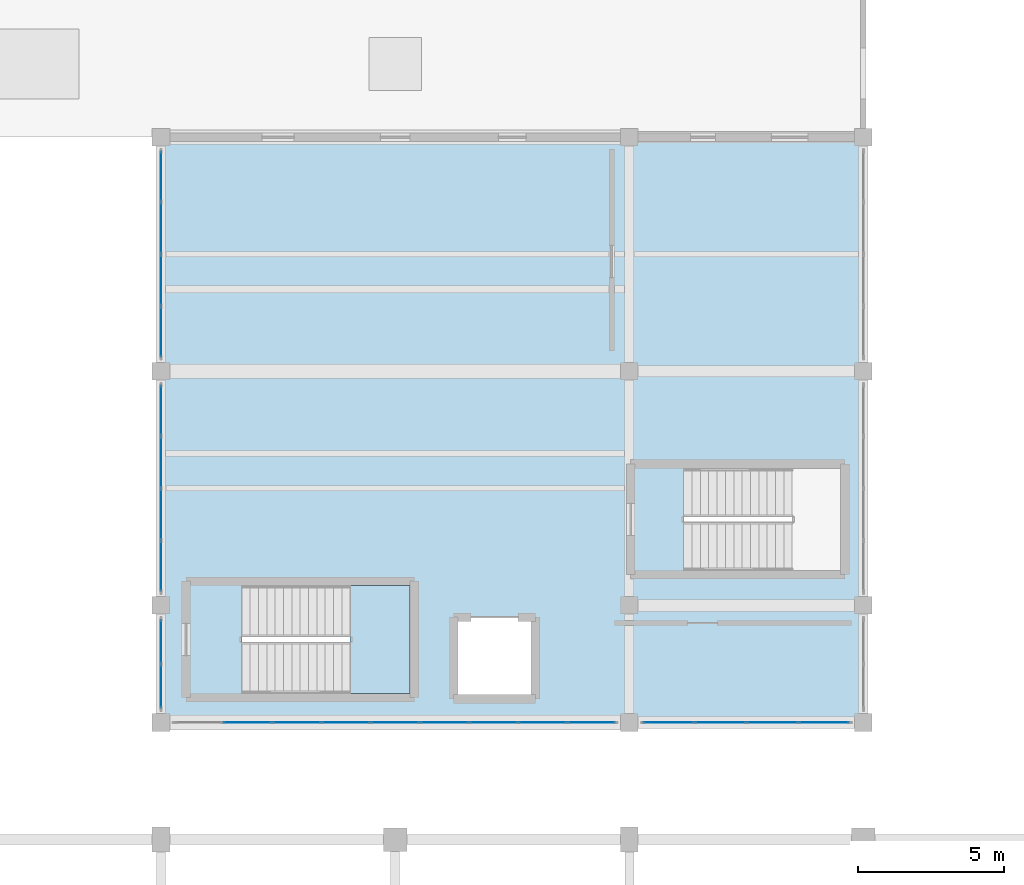
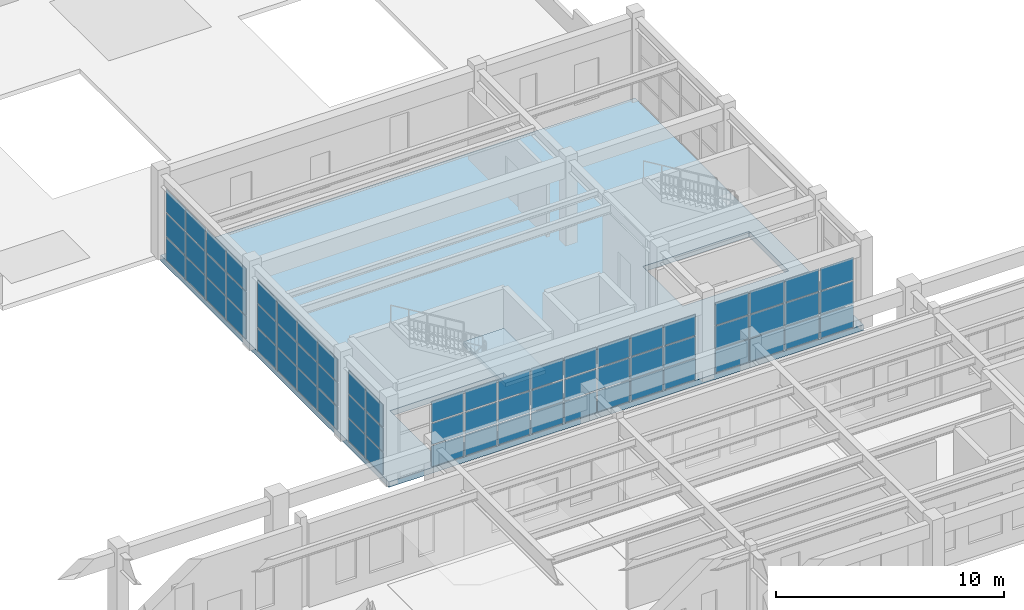
# One storey, part 34 of 59: 66 plates, 2 slabs, 6 elements without a shape of their own.
"""IFC4 building model written with IfcOpenShell, lengths in metres."""

from ifc_helpers import new_model, si_unit, direction, frame, origin, origin_2d, place, context, subcontext, project, spatial, polyline, rectangle, outline, extrude, material, layer, layer_set, type_object, element, aggregate, save


model = new_model("IFC4")

# Units and contexts
model_context = context("Model", 3, precision=1e-05, world=origin(), true_north=direction((0.0, 1.0)))
body_context = subcontext(model_context, "Body", "Model", "MODEL_VIEW")
ifc_project = project(units=[si_unit("LENGTHUNIT", "METRE"), si_unit("AREAUNIT", "SQUARE_METRE"), si_unit("VOLUMEUNIT", "CUBIC_METRE"), si_unit("PLANEANGLEUNIT", "RADIAN"), si_unit("MASSUNIT", "GRAM", prefix="KILO")], contexts=[model_context])

# Site, building, storey
site_placement = place(None, origin())
site = spatial("IfcSite", under=ifc_project, at=site_placement, CompositionType="ELEMENT")
building_placement = place(site_placement, origin())
building = spatial("IfcBuilding", under=site, at=building_placement, Name="Serraluz Foothill Cableway Terminal", CompositionType="ELEMENT")
storey_placement = place(building_placement, frame((0.0, 0.0, 4.800048828125)))
storey = spatial("IfcBuildingStorey", under=building, at=storey_placement, Name="L01", CompositionType="ELEMENT", Elevation=4.800048828125)

# Curtain wall, plates
ifc_material_1 = material(Name="Architectural bronze alloy C28000", Category="aluminium")
curtain_wall_type = type_object("IfcCurtainWallType", Name="TYP-CW-680X420", PredefinedType="NOTDEFINED", material=ifc_material_1)
curtain_wall_1_placement = place(storey_placement, origin())
curtain_wall_1 = element("IfcCurtainWall", 1, at=curtain_wall_1_placement, inside=storey, type_object=curtain_wall_type, Name="Ribbed Glazed Curtain Wall CW-V4S-L01-96", PredefinedType="NOTDEFINED")
ifc_material_2 = material(Name="Translucent ribbed laminated channel glass", Category="glass")
ifc_layer_1 = layer(ifc_material_2, 0.028076171875, Name="Translucent ribbed laminated channel glass", Category="glass")
ifc_layer_set_1 = layer_set([ifc_layer_1], Name="Translucent ribbed laminated channel glass")
plate_type = type_object("IfcPlateType", Name="TYP-CW-PNL-28", PredefinedType="CURTAIN_PANEL", material=ifc_layer_set_1)
plate_1_placement = place(storey_placement, frame((102.655029296875, 76.0, 0.059814453125), z_axis=(0.0, 0.0, 1.0), x_axis=(-1.0, 0.0, 0.0)))
plate_1 = element("IfcPlate", 2, at=plate_1_placement, type_object=plate_type, Name="CW-13 panel 1.1", PredefinedType="CURTAIN_PANEL", context=body_context, shape_type="SweptSolid", body=[
    extrude(rectangle(XDim=1.68994140625, YDim=0.028076171875, at=origin_2d()), origin(), (0.0, 0.0, 1.0), 1.193359375),
])
plate_2_placement = place(storey_placement, frame((102.655029296875, 76.0, 1.3134765625), z_axis=(0.0, 0.0, 1.0), x_axis=(-1.0, 0.0, 0.0)))
plate_2 = element("IfcPlate", 3, at=plate_2_placement, type_object=plate_type, Name="CW-13 panel 1.2", PredefinedType="CURTAIN_PANEL", context=body_context, shape_type="SweptSolid", body=[
    extrude(rectangle(XDim=1.68994140625, YDim=0.028076171875, at=origin_2d()), origin(), (0.0, 0.0, 1.0), 1.223388671875),
])
plate_3_placement = place(storey_placement, frame((102.655029296875, 76.0, 2.5966796875), z_axis=(0.0, 0.0, 1.0), x_axis=(-1.0, 0.0, 0.0)))
plate_3 = element("IfcPlate", 4, at=plate_3_placement, type_object=plate_type, Name="CW-13 panel 1.3", PredefinedType="CURTAIN_PANEL", context=body_context, shape_type="SweptSolid", body=[
    extrude(rectangle(XDim=1.68994140625, YDim=0.028076171875, at=origin_2d()), origin(), (0.0, 0.0, 1.0), 1.193359375),
])
plate_4_placement = place(storey_placement, frame((100.889892578125, 76.0, 0.059814453125), z_axis=(0.0, 0.0, 1.0), x_axis=(-1.0, 0.0, 0.0)))
plate_4 = element("IfcPlate", 5, at=plate_4_placement, type_object=plate_type, Name="CW-13 panel 2.1", PredefinedType="CURTAIN_PANEL", context=body_context, shape_type="SweptSolid", body=[
    extrude(rectangle(XDim=1.719970703125, YDim=0.028076171875, at=origin_2d()), origin(), (0.0, 0.0, 1.0), 1.193359375),
])
plate_5_placement = place(storey_placement, frame((100.889892578125, 76.0, 1.3134765625), z_axis=(0.0, 0.0, 1.0), x_axis=(-1.0, 0.0, 0.0)))
plate_5 = element("IfcPlate", 6, at=plate_5_placement, type_object=plate_type, Name="CW-13 panel 2.2", PredefinedType="CURTAIN_PANEL", context=body_context, shape_type="SweptSolid", body=[
    extrude(rectangle(XDim=1.719970703125, YDim=0.028076171875, at=origin_2d()), origin(), (0.0, 0.0, 1.0), 1.223388671875),
])
plate_6_placement = place(storey_placement, frame((100.889892578125, 76.0, 2.5966796875), z_axis=(0.0, 0.0, 1.0), x_axis=(-1.0, 0.0, 0.0)))
plate_6 = element("IfcPlate", 7, at=plate_6_placement, type_object=plate_type, Name="CW-13 panel 2.3", PredefinedType="CURTAIN_PANEL", context=body_context, shape_type="SweptSolid", body=[
    extrude(rectangle(XDim=1.719970703125, YDim=0.028076171875, at=origin_2d()), origin(), (0.0, 0.0, 1.0), 1.193359375),
])
plate_7_placement = place(storey_placement, frame((99.110107421875, 76.0, 0.059814453125), z_axis=(0.0, 0.0, 1.0), x_axis=(-1.0, 0.0, 0.0)))
plate_7 = element("IfcPlate", 8, at=plate_7_placement, type_object=plate_type, Name="CW-13 panel 3.1", PredefinedType="CURTAIN_PANEL", context=body_context, shape_type="SweptSolid", body=[
    extrude(rectangle(XDim=1.719970703125, YDim=0.028076171875, at=origin_2d()), origin(), (0.0, 0.0, 1.0), 1.193359375),
])
plate_8_placement = place(storey_placement, frame((99.110107421875, 76.0, 1.3134765625), z_axis=(0.0, 0.0, 1.0), x_axis=(-1.0, 0.0, 0.0)))
plate_8 = element("IfcPlate", 9, at=plate_8_placement, type_object=plate_type, Name="CW-13 panel 3.2", PredefinedType="CURTAIN_PANEL", context=body_context, shape_type="SweptSolid", body=[
    extrude(rectangle(XDim=1.719970703125, YDim=0.028076171875, at=origin_2d()), origin(), (0.0, 0.0, 1.0), 1.223388671875),
])
plate_9_placement = place(storey_placement, frame((99.110107421875, 76.0, 2.5966796875), z_axis=(0.0, 0.0, 1.0), x_axis=(-1.0, 0.0, 0.0)))
plate_9 = element("IfcPlate", 10, at=plate_9_placement, type_object=plate_type, Name="CW-13 panel 3.3", PredefinedType="CURTAIN_PANEL", context=body_context, shape_type="SweptSolid", body=[
    extrude(rectangle(XDim=1.719970703125, YDim=0.028076171875, at=origin_2d()), origin(), (0.0, 0.0, 1.0), 1.193359375),
])
plate_10_placement = place(storey_placement, frame((97.344970703125, 76.0, 0.059814453125), z_axis=(0.0, 0.0, 1.0), x_axis=(-1.0, 0.0, 0.0)))
plate_10 = element("IfcPlate", 11, at=plate_10_placement, type_object=plate_type, Name="CW-13 panel 4.1", PredefinedType="CURTAIN_PANEL", context=body_context, shape_type="SweptSolid", body=[
    extrude(rectangle(XDim=1.68994140625, YDim=0.028076171875, at=origin_2d()), origin(), (0.0, 0.0, 1.0), 1.193359375),
])
plate_11_placement = place(storey_placement, frame((97.344970703125, 76.0, 1.3134765625), z_axis=(0.0, 0.0, 1.0), x_axis=(-1.0, 0.0, 0.0)))
plate_11 = element("IfcPlate", 12, at=plate_11_placement, type_object=plate_type, Name="CW-13 panel 4.2", PredefinedType="CURTAIN_PANEL", context=body_context, shape_type="SweptSolid", body=[
    extrude(rectangle(XDim=1.68994140625, YDim=0.028076171875, at=origin_2d()), origin(), (0.0, 0.0, 1.0), 1.223388671875),
])
plate_12_placement = place(storey_placement, frame((97.344970703125, 76.0, 2.5966796875), z_axis=(0.0, 0.0, 1.0), x_axis=(-1.0, 0.0, 0.0)))
plate_12 = element("IfcPlate", 13, at=plate_12_placement, type_object=plate_type, Name="CW-13 panel 4.3", PredefinedType="CURTAIN_PANEL", context=body_context, shape_type="SweptSolid", body=[
    extrude(rectangle(XDim=1.68994140625, YDim=0.028076171875, at=origin_2d()), origin(), (0.0, 0.0, 1.0), 1.193359375),
])
aggregate(curtain_wall_1, [plate_1, plate_2, plate_3, plate_4, plate_5, plate_6, plate_7, plate_8, plate_9, plate_10, plate_11, plate_12])

curtain_wall_2_placement = place(storey_placement, origin())
curtain_wall_2 = element("IfcCurtainWall", 14, at=curtain_wall_2_placement, inside=storey, type_object=curtain_wall_type, Name="Ribbed Glazed Curtain Wall CW-V4S-L01-80", PredefinedType="NOTDEFINED")
plate_13_placement = place(storey_placement, frame((94.705078125, 76.0, 0.06005859375), z_axis=(0.0, 0.0, 1.0), x_axis=(-1.0, 0.0, 0.0)))
plate_13 = element("IfcPlate", 15, at=plate_13_placement, type_object=plate_type, Name="CW-13 panel 1.1", PredefinedType="CURTAIN_PANEL", context=body_context, shape_type="SweptSolid", body=[
    extrude(rectangle(XDim=1.590087890625, YDim=0.028076171875, at=origin_2d()), origin(), (0.0, 0.0, 1.0), 1.110107421875),
])
plate_14_placement = place(storey_placement, frame((94.705078125, 76.0, 1.22998046875), z_axis=(0.0, 0.0, 1.0), x_axis=(-1.0, 0.0, 0.0)))
plate_14 = element("IfcPlate", 16, at=plate_14_placement, type_object=plate_type, Name="CW-13 panel 1.2", PredefinedType="CURTAIN_PANEL", context=body_context, shape_type="SweptSolid", body=[
    extrude(rectangle(XDim=1.590087890625, YDim=0.028076171875, at=origin_2d()), origin(), (0.0, 0.0, 1.0), 1.139892578125),
])
plate_15_placement = place(storey_placement, frame((94.705078125, 76.0, 2.4296875), z_axis=(0.0, 0.0, 1.0), x_axis=(-1.0, 0.0, 0.0)))
plate_15 = element("IfcPlate", 17, at=plate_15_placement, type_object=plate_type, Name="CW-13 panel 1.3", PredefinedType="CURTAIN_PANEL", context=body_context, shape_type="SweptSolid", body=[
    extrude(rectangle(XDim=1.590087890625, YDim=0.028076171875, at=origin_2d()), origin(), (0.0, 0.0, 1.0), 1.110107421875),
])
plate_16_placement = place(storey_placement, frame((93.0400390625, 76.0, 0.06005859375), z_axis=(0.0, 0.0, 1.0), x_axis=(-1.0, 0.0, 0.0)))
plate_16 = element("IfcPlate", 18, at=plate_16_placement, type_object=plate_type, Name="CW-13 panel 2.1", PredefinedType="CURTAIN_PANEL", context=body_context, shape_type="SweptSolid", body=[
    extrude(rectangle(XDim=1.6201171875, YDim=0.028076171875, at=origin_2d()), origin(), (0.0, 0.0, 1.0), 1.110107421875),
])
plate_17_placement = place(storey_placement, frame((93.0400390625, 76.0, 1.22998046875), z_axis=(0.0, 0.0, 1.0), x_axis=(-1.0, 0.0, 0.0)))
plate_17 = element("IfcPlate", 19, at=plate_17_placement, type_object=plate_type, Name="CW-13 panel 2.2", PredefinedType="CURTAIN_PANEL", context=body_context, shape_type="SweptSolid", body=[
    extrude(rectangle(XDim=1.6201171875, YDim=0.028076171875, at=origin_2d()), origin(), (0.0, 0.0, 1.0), 1.139892578125),
])
plate_18_placement = place(storey_placement, frame((93.0400390625, 76.0, 2.4296875), z_axis=(0.0, 0.0, 1.0), x_axis=(-1.0, 0.0, 0.0)))
plate_18 = element("IfcPlate", 20, at=plate_18_placement, type_object=plate_type, Name="CW-13 panel 2.3", PredefinedType="CURTAIN_PANEL", context=body_context, shape_type="SweptSolid", body=[
    extrude(rectangle(XDim=1.6201171875, YDim=0.028076171875, at=origin_2d()), origin(), (0.0, 0.0, 1.0), 1.110107421875),
])
plate_19_placement = place(storey_placement, frame((91.360107421875, 76.0, 0.06005859375), z_axis=(0.0, 0.0, 1.0), x_axis=(-1.0, 0.0, 0.0)))
plate_19 = element("IfcPlate", 21, at=plate_19_placement, type_object=plate_type, Name="CW-13 panel 3.1", PredefinedType="CURTAIN_PANEL", context=body_context, shape_type="SweptSolid", body=[
    extrude(rectangle(XDim=1.6201171875, YDim=0.028076171875, at=origin_2d()), origin(), (0.0, 0.0, 1.0), 1.110107421875),
])
plate_20_placement = place(storey_placement, frame((91.360107421875, 76.0, 1.22998046875), z_axis=(0.0, 0.0, 1.0), x_axis=(-1.0, 0.0, 0.0)))
plate_20 = element("IfcPlate", 22, at=plate_20_placement, type_object=plate_type, Name="CW-13 panel 3.2", PredefinedType="CURTAIN_PANEL", context=body_context, shape_type="SweptSolid", body=[
    extrude(rectangle(XDim=1.6201171875, YDim=0.028076171875, at=origin_2d()), origin(), (0.0, 0.0, 1.0), 1.139892578125),
])
plate_21_placement = place(storey_placement, frame((91.360107421875, 76.0, 2.4296875), z_axis=(0.0, 0.0, 1.0), x_axis=(-1.0, 0.0, 0.0)))
plate_21 = element("IfcPlate", 23, at=plate_21_placement, type_object=plate_type, Name="CW-13 panel 3.3", PredefinedType="CURTAIN_PANEL", context=body_context, shape_type="SweptSolid", body=[
    extrude(rectangle(XDim=1.6201171875, YDim=0.028076171875, at=origin_2d()), origin(), (0.0, 0.0, 1.0), 1.110107421875),
])
plate_22_placement = place(storey_placement, frame((89.679931640625, 76.0, 0.06005859375), z_axis=(0.0, 0.0, 1.0), x_axis=(-1.0, 0.0, 0.0)))
plate_22 = element("IfcPlate", 24, at=plate_22_placement, type_object=plate_type, Name="CW-13 panel 4.1", PredefinedType="CURTAIN_PANEL", context=body_context, shape_type="SweptSolid", body=[
    extrude(rectangle(XDim=1.6201171875, YDim=0.028076171875, at=origin_2d()), origin(), (0.0, 0.0, 1.0), 1.110107421875),
])
plate_23_placement = place(storey_placement, frame((89.679931640625, 76.0, 1.22998046875), z_axis=(0.0, 0.0, 1.0), x_axis=(-1.0, 0.0, 0.0)))
plate_23 = element("IfcPlate", 25, at=plate_23_placement, type_object=plate_type, Name="CW-13 panel 4.2", PredefinedType="CURTAIN_PANEL", context=body_context, shape_type="SweptSolid", body=[
    extrude(rectangle(XDim=1.6201171875, YDim=0.028076171875, at=origin_2d()), origin(), (0.0, 0.0, 1.0), 1.139892578125),
])
plate_24_placement = place(storey_placement, frame((89.679931640625, 76.0, 2.4296875), z_axis=(0.0, 0.0, 1.0), x_axis=(-1.0, 0.0, 0.0)))
plate_24 = element("IfcPlate", 26, at=plate_24_placement, type_object=plate_type, Name="CW-13 panel 4.3", PredefinedType="CURTAIN_PANEL", context=body_context, shape_type="SweptSolid", body=[
    extrude(rectangle(XDim=1.6201171875, YDim=0.028076171875, at=origin_2d()), origin(), (0.0, 0.0, 1.0), 1.110107421875),
])
plate_25_placement = place(storey_placement, frame((88.0, 76.0, 0.06005859375), z_axis=(0.0, 0.0, 1.0), x_axis=(-1.0, 0.0, 0.0)))
plate_25 = element("IfcPlate", 27, at=plate_25_placement, type_object=plate_type, Name="CW-13 panel 5.1", PredefinedType="CURTAIN_PANEL", context=body_context, shape_type="SweptSolid", body=[
    extrude(rectangle(XDim=1.6201171875, YDim=0.028076171875, at=origin_2d()), origin(), (0.0, 0.0, 1.0), 1.110107421875),
])
plate_26_placement = place(storey_placement, frame((88.0, 76.0, 1.22998046875), z_axis=(0.0, 0.0, 1.0), x_axis=(-1.0, 0.0, 0.0)))
plate_26 = element("IfcPlate", 28, at=plate_26_placement, type_object=plate_type, Name="CW-13 panel 5.2", PredefinedType="CURTAIN_PANEL", context=body_context, shape_type="SweptSolid", body=[
    extrude(rectangle(XDim=1.6201171875, YDim=0.028076171875, at=origin_2d()), origin(), (0.0, 0.0, 1.0), 1.139892578125),
])
plate_27_placement = place(storey_placement, frame((88.0, 76.0, 2.4296875), z_axis=(0.0, 0.0, 1.0), x_axis=(-1.0, 0.0, 0.0)))
plate_27 = element("IfcPlate", 29, at=plate_27_placement, type_object=plate_type, Name="CW-13 panel 5.3", PredefinedType="CURTAIN_PANEL", context=body_context, shape_type="SweptSolid", body=[
    extrude(rectangle(XDim=1.6201171875, YDim=0.028076171875, at=origin_2d()), origin(), (0.0, 0.0, 1.0), 1.110107421875),
])
plate_28_placement = place(storey_placement, frame((86.320068359375, 76.0, 0.06005859375), z_axis=(0.0, 0.0, 1.0), x_axis=(-1.0, 0.0, 0.0)))
plate_28 = element("IfcPlate", 30, at=plate_28_placement, type_object=plate_type, Name="CW-13 panel 6.1", PredefinedType="CURTAIN_PANEL", context=body_context, shape_type="SweptSolid", body=[
    extrude(rectangle(XDim=1.6201171875, YDim=0.028076171875, at=origin_2d()), origin(), (0.0, 0.0, 1.0), 1.110107421875),
])
plate_29_placement = place(storey_placement, frame((86.320068359375, 76.0, 1.22998046875), z_axis=(0.0, 0.0, 1.0), x_axis=(-1.0, 0.0, 0.0)))
plate_29 = element("IfcPlate", 31, at=plate_29_placement, type_object=plate_type, Name="CW-13 panel 6.2", PredefinedType="CURTAIN_PANEL", context=body_context, shape_type="SweptSolid", body=[
    extrude(rectangle(XDim=1.6201171875, YDim=0.028076171875, at=origin_2d()), origin(), (0.0, 0.0, 1.0), 1.139892578125),
])
plate_30_placement = place(storey_placement, frame((86.320068359375, 76.0, 2.4296875), z_axis=(0.0, 0.0, 1.0), x_axis=(-1.0, 0.0, 0.0)))
plate_30 = element("IfcPlate", 32, at=plate_30_placement, type_object=plate_type, Name="CW-13 panel 6.3", PredefinedType="CURTAIN_PANEL", context=body_context, shape_type="SweptSolid", body=[
    extrude(rectangle(XDim=1.6201171875, YDim=0.028076171875, at=origin_2d()), origin(), (0.0, 0.0, 1.0), 1.110107421875),
])
plate_31_placement = place(storey_placement, frame((84.639892578125, 76.0, 0.06005859375), z_axis=(0.0, 0.0, 1.0), x_axis=(-1.0, 0.0, 0.0)))
plate_31 = element("IfcPlate", 33, at=plate_31_placement, type_object=plate_type, Name="CW-13 panel 7.1", PredefinedType="CURTAIN_PANEL", context=body_context, shape_type="SweptSolid", body=[
    extrude(rectangle(XDim=1.6201171875, YDim=0.028076171875, at=origin_2d()), origin(), (0.0, 0.0, 1.0), 1.110107421875),
])
plate_32_placement = place(storey_placement, frame((84.639892578125, 76.0, 1.22998046875), z_axis=(0.0, 0.0, 1.0), x_axis=(-1.0, 0.0, 0.0)))
plate_32 = element("IfcPlate", 34, at=plate_32_placement, type_object=plate_type, Name="CW-13 panel 7.2", PredefinedType="CURTAIN_PANEL", context=body_context, shape_type="SweptSolid", body=[
    extrude(rectangle(XDim=1.6201171875, YDim=0.028076171875, at=origin_2d()), origin(), (0.0, 0.0, 1.0), 1.139892578125),
])
plate_33_placement = place(storey_placement, frame((84.639892578125, 76.0, 2.4296875), z_axis=(0.0, 0.0, 1.0), x_axis=(-1.0, 0.0, 0.0)))
plate_33 = element("IfcPlate", 35, at=plate_33_placement, type_object=plate_type, Name="CW-13 panel 7.3", PredefinedType="CURTAIN_PANEL", context=body_context, shape_type="SweptSolid", body=[
    extrude(rectangle(XDim=1.6201171875, YDim=0.028076171875, at=origin_2d()), origin(), (0.0, 0.0, 1.0), 1.110107421875),
])
plate_34_placement = place(storey_placement, frame((82.9599609375, 76.0, 0.06005859375), z_axis=(0.0, 0.0, 1.0), x_axis=(-1.0, 0.0, 0.0)))
plate_34 = element("IfcPlate", 36, at=plate_34_placement, type_object=plate_type, Name="CW-13 panel 8.1", PredefinedType="CURTAIN_PANEL", context=body_context, shape_type="SweptSolid", body=[
    extrude(rectangle(XDim=1.6201171875, YDim=0.028076171875, at=origin_2d()), origin(), (0.0, 0.0, 1.0), 1.110107421875),
])
plate_35_placement = place(storey_placement, frame((82.9599609375, 76.0, 1.22998046875), z_axis=(0.0, 0.0, 1.0), x_axis=(-1.0, 0.0, 0.0)))
plate_35 = element("IfcPlate", 37, at=plate_35_placement, type_object=plate_type, Name="CW-13 panel 8.2", PredefinedType="CURTAIN_PANEL", context=body_context, shape_type="SweptSolid", body=[
    extrude(rectangle(XDim=1.6201171875, YDim=0.028076171875, at=origin_2d()), origin(), (0.0, 0.0, 1.0), 1.139892578125),
])
plate_36_placement = place(storey_placement, frame((82.9599609375, 76.0, 2.4296875), z_axis=(0.0, 0.0, 1.0), x_axis=(-1.0, 0.0, 0.0)))
plate_36 = element("IfcPlate", 38, at=plate_36_placement, type_object=plate_type, Name="CW-13 panel 8.3", PredefinedType="CURTAIN_PANEL", context=body_context, shape_type="SweptSolid", body=[
    extrude(rectangle(XDim=1.6201171875, YDim=0.028076171875, at=origin_2d()), origin(), (0.0, 0.0, 1.0), 1.110107421875),
])
aggregate(curtain_wall_2, [plate_13, plate_14, plate_15, plate_16, plate_17, plate_18, plate_19, plate_20, plate_21, plate_22, plate_23, plate_24, plate_25, plate_26, plate_27, plate_28, plate_29, plate_30, plate_31, plate_32, plate_33, plate_34, plate_35, plate_36])

curtain_wall_3_placement = place(storey_placement, origin())
curtain_wall_3 = element("IfcCurtainWall", 39, at=curtain_wall_3_placement, inside=storey, type_object=curtain_wall_type, Name="Ribbed Glazed Curtain Wall CW-V4W-L01-76", PredefinedType="NOTDEFINED")
plate_37_placement = place(storey_placement, frame((80.0, 77.235107421875, 0.06005859375), z_axis=(0.0, 0.0, 1.0), x_axis=(0.0, 1.0, 0.0)))
plate_37 = element("IfcPlate", 40, at=plate_37_placement, type_object=plate_type, Name="CW-13 panel 1.1", PredefinedType="CURTAIN_PANEL", context=body_context, shape_type="SweptSolid", body=[
    extrude(rectangle(XDim=1.469970703125, YDim=0.028076171875, at=origin_2d()), origin(), (0.0, 0.0, 1.0), 1.20458984375),
])
plate_38_placement = place(storey_placement, frame((80.0, 77.235107421875, 1.32470703125), z_axis=(0.0, 0.0, 1.0), x_axis=(0.0, 1.0, 0.0)))
plate_38 = element("IfcPlate", 41, at=plate_38_placement, type_object=plate_type, Name="CW-13 panel 1.2", PredefinedType="CURTAIN_PANEL", context=body_context, shape_type="SweptSolid", body=[
    extrude(rectangle(XDim=1.469970703125, YDim=0.028076171875, at=origin_2d()), origin(), (0.0, 0.0, 1.0), 1.234619140625),
])
plate_39_placement = place(storey_placement, frame((80.0, 77.235107421875, 2.619384765625), z_axis=(0.0, 0.0, 1.0), x_axis=(0.0, 1.0, 0.0)))
plate_39 = element("IfcPlate", 42, at=plate_39_placement, type_object=plate_type, Name="CW-13 panel 1.3", PredefinedType="CURTAIN_PANEL", context=body_context, shape_type="SweptSolid", body=[
    extrude(rectangle(XDim=1.469970703125, YDim=0.028076171875, at=origin_2d()), origin(), (0.0, 0.0, 1.0), 1.20458984375),
])
plate_40_placement = place(storey_placement, frame((80.0, 78.764892578125, 0.06005859375), z_axis=(0.0, 0.0, 1.0), x_axis=(0.0, 1.0, 0.0)))
plate_40 = element("IfcPlate", 43, at=plate_40_placement, type_object=plate_type, Name="CW-13 panel 2.1", PredefinedType="CURTAIN_PANEL", context=body_context, shape_type="SweptSolid", body=[
    extrude(rectangle(XDim=1.469970703125, YDim=0.028076171875, at=origin_2d()), origin(), (0.0, 0.0, 1.0), 1.20458984375),
])
plate_41_placement = place(storey_placement, frame((80.0, 78.764892578125, 1.32470703125), z_axis=(0.0, 0.0, 1.0), x_axis=(0.0, 1.0, 0.0)))
plate_41 = element("IfcPlate", 44, at=plate_41_placement, type_object=plate_type, Name="CW-13 panel 2.2", PredefinedType="CURTAIN_PANEL", context=body_context, shape_type="SweptSolid", body=[
    extrude(rectangle(XDim=1.469970703125, YDim=0.028076171875, at=origin_2d()), origin(), (0.0, 0.0, 1.0), 1.234619140625),
])
plate_42_placement = place(storey_placement, frame((80.0, 78.764892578125, 2.619384765625), z_axis=(0.0, 0.0, 1.0), x_axis=(0.0, 1.0, 0.0)))
plate_42 = element("IfcPlate", 45, at=plate_42_placement, type_object=plate_type, Name="CW-13 panel 2.3", PredefinedType="CURTAIN_PANEL", context=body_context, shape_type="SweptSolid", body=[
    extrude(rectangle(XDim=1.469970703125, YDim=0.028076171875, at=origin_2d()), origin(), (0.0, 0.0, 1.0), 1.20458984375),
])
aggregate(curtain_wall_3, [plate_37, plate_38, plate_39, plate_40, plate_41, plate_42])

curtain_wall_4_placement = place(storey_placement, origin())
curtain_wall_4 = element("IfcCurtainWall", 46, at=curtain_wall_4_placement, inside=storey, type_object=curtain_wall_type, Name="Ribbed Glazed Curtain Wall CW-V4W-L01-80", PredefinedType="NOTDEFINED")
plate_43_placement = place(storey_placement, frame((80.0, 81.344970703125, 0.06005859375), z_axis=(0.0, 0.0, 1.0), x_axis=(0.0, 1.0, 0.0)))
plate_43 = element("IfcPlate", 47, at=plate_43_placement, type_object=plate_type, Name="CW-13 panel 1.1", PredefinedType="CURTAIN_PANEL", context=body_context, shape_type="SweptSolid", body=[
    extrude(rectangle(XDim=1.68994140625, YDim=0.028076171875, at=origin_2d()), origin(), (0.0, 0.0, 1.0), 1.20458984375),
])
plate_44_placement = place(storey_placement, frame((80.0, 81.344970703125, 1.32470703125), z_axis=(0.0, 0.0, 1.0), x_axis=(0.0, 1.0, 0.0)))
plate_44 = element("IfcPlate", 48, at=plate_44_placement, type_object=plate_type, Name="CW-13 panel 1.2", PredefinedType="CURTAIN_PANEL", context=body_context, shape_type="SweptSolid", body=[
    extrude(rectangle(XDim=1.68994140625, YDim=0.028076171875, at=origin_2d()), origin(), (0.0, 0.0, 1.0), 1.234619140625),
])
plate_45_placement = place(storey_placement, frame((80.0, 81.344970703125, 2.619384765625), z_axis=(0.0, 0.0, 1.0), x_axis=(0.0, 1.0, 0.0)))
plate_45 = element("IfcPlate", 49, at=plate_45_placement, type_object=plate_type, Name="CW-13 panel 1.3", PredefinedType="CURTAIN_PANEL", context=body_context, shape_type="SweptSolid", body=[
    extrude(rectangle(XDim=1.68994140625, YDim=0.028076171875, at=origin_2d()), origin(), (0.0, 0.0, 1.0), 1.20458984375),
])
plate_46_placement = place(storey_placement, frame((80.0, 83.110107421875, 0.06005859375), z_axis=(0.0, 0.0, 1.0), x_axis=(0.0, 1.0, 0.0)))
plate_46 = element("IfcPlate", 50, at=plate_46_placement, type_object=plate_type, Name="CW-13 panel 2.1", PredefinedType="CURTAIN_PANEL", context=body_context, shape_type="SweptSolid", body=[
    extrude(rectangle(XDim=1.719970703125, YDim=0.028076171875, at=origin_2d()), origin(), (0.0, 0.0, 1.0), 1.20458984375),
])
plate_47_placement = place(storey_placement, frame((80.0, 83.110107421875, 1.32470703125), z_axis=(0.0, 0.0, 1.0), x_axis=(0.0, 1.0, 0.0)))
plate_47 = element("IfcPlate", 51, at=plate_47_placement, type_object=plate_type, Name="CW-13 panel 2.2", PredefinedType="CURTAIN_PANEL", context=body_context, shape_type="SweptSolid", body=[
    extrude(rectangle(XDim=1.719970703125, YDim=0.028076171875, at=origin_2d()), origin(), (0.0, 0.0, 1.0), 1.234619140625),
])
plate_48_placement = place(storey_placement, frame((80.0, 83.110107421875, 2.619384765625), z_axis=(0.0, 0.0, 1.0), x_axis=(0.0, 1.0, 0.0)))
plate_48 = element("IfcPlate", 52, at=plate_48_placement, type_object=plate_type, Name="CW-13 panel 2.3", PredefinedType="CURTAIN_PANEL", context=body_context, shape_type="SweptSolid", body=[
    extrude(rectangle(XDim=1.719970703125, YDim=0.028076171875, at=origin_2d()), origin(), (0.0, 0.0, 1.0), 1.20458984375),
])
plate_49_placement = place(storey_placement, frame((80.0, 84.889892578125, 0.06005859375), z_axis=(0.0, 0.0, 1.0), x_axis=(0.0, 1.0, 0.0)))
plate_49 = element("IfcPlate", 53, at=plate_49_placement, type_object=plate_type, Name="CW-13 panel 3.1", PredefinedType="CURTAIN_PANEL", context=body_context, shape_type="SweptSolid", body=[
    extrude(rectangle(XDim=1.719970703125, YDim=0.028076171875, at=origin_2d()), origin(), (0.0, 0.0, 1.0), 1.20458984375),
])
plate_50_placement = place(storey_placement, frame((80.0, 84.889892578125, 1.32470703125), z_axis=(0.0, 0.0, 1.0), x_axis=(0.0, 1.0, 0.0)))
plate_50 = element("IfcPlate", 54, at=plate_50_placement, type_object=plate_type, Name="CW-13 panel 3.2", PredefinedType="CURTAIN_PANEL", context=body_context, shape_type="SweptSolid", body=[
    extrude(rectangle(XDim=1.719970703125, YDim=0.028076171875, at=origin_2d()), origin(), (0.0, 0.0, 1.0), 1.234619140625),
])
plate_51_placement = place(storey_placement, frame((80.0, 84.889892578125, 2.619384765625), z_axis=(0.0, 0.0, 1.0), x_axis=(0.0, 1.0, 0.0)))
plate_51 = element("IfcPlate", 55, at=plate_51_placement, type_object=plate_type, Name="CW-13 panel 3.3", PredefinedType="CURTAIN_PANEL", context=body_context, shape_type="SweptSolid", body=[
    extrude(rectangle(XDim=1.719970703125, YDim=0.028076171875, at=origin_2d()), origin(), (0.0, 0.0, 1.0), 1.20458984375),
])
plate_52_placement = place(storey_placement, frame((80.0, 86.655029296875, 0.06005859375), z_axis=(0.0, 0.0, 1.0), x_axis=(0.0, 1.0, 0.0)))
plate_52 = element("IfcPlate", 56, at=plate_52_placement, type_object=plate_type, Name="CW-13 panel 4.1", PredefinedType="CURTAIN_PANEL", context=body_context, shape_type="SweptSolid", body=[
    extrude(rectangle(XDim=1.68994140625, YDim=0.028076171875, at=origin_2d()), origin(), (0.0, 0.0, 1.0), 1.20458984375),
])
plate_53_placement = place(storey_placement, frame((80.0, 86.655029296875, 1.32470703125), z_axis=(0.0, 0.0, 1.0), x_axis=(0.0, 1.0, 0.0)))
plate_53 = element("IfcPlate", 57, at=plate_53_placement, type_object=plate_type, Name="CW-13 panel 4.2", PredefinedType="CURTAIN_PANEL", context=body_context, shape_type="SweptSolid", body=[
    extrude(rectangle(XDim=1.68994140625, YDim=0.028076171875, at=origin_2d()), origin(), (0.0, 0.0, 1.0), 1.234619140625),
])
plate_54_placement = place(storey_placement, frame((80.0, 86.655029296875, 2.619384765625), z_axis=(0.0, 0.0, 1.0), x_axis=(0.0, 1.0, 0.0)))
plate_54 = element("IfcPlate", 58, at=plate_54_placement, type_object=plate_type, Name="CW-13 panel 4.3", PredefinedType="CURTAIN_PANEL", context=body_context, shape_type="SweptSolid", body=[
    extrude(rectangle(XDim=1.68994140625, YDim=0.028076171875, at=origin_2d()), origin(), (0.0, 0.0, 1.0), 1.20458984375),
])
aggregate(curtain_wall_4, [plate_43, plate_44, plate_45, plate_46, plate_47, plate_48, plate_49, plate_50, plate_51, plate_52, plate_53, plate_54])

curtain_wall_5_placement = place(storey_placement, origin())
curtain_wall_5 = element("IfcCurtainWall", 59, at=curtain_wall_5_placement, inside=storey, type_object=curtain_wall_type, Name="Ribbed Glazed Curtain Wall CW-V4W-L01-88", PredefinedType="NOTDEFINED")
plate_55_placement = place(storey_placement, frame((80.0, 89.344970703125, 0.06005859375), z_axis=(0.0, 0.0, 1.0), x_axis=(0.0, 1.0, 0.0)))
plate_55 = element("IfcPlate", 60, at=plate_55_placement, type_object=plate_type, Name="CW-13 panel 1.1", PredefinedType="CURTAIN_PANEL", context=body_context, shape_type="SweptSolid", body=[
    extrude(rectangle(XDim=1.68994140625, YDim=0.028076171875, at=origin_2d()), origin(), (0.0, 0.0, 1.0), 1.20458984375),
])
plate_56_placement = place(storey_placement, frame((80.0, 89.344970703125, 1.32470703125), z_axis=(0.0, 0.0, 1.0), x_axis=(0.0, 1.0, 0.0)))
plate_56 = element("IfcPlate", 61, at=plate_56_placement, type_object=plate_type, Name="CW-13 panel 1.2", PredefinedType="CURTAIN_PANEL", context=body_context, shape_type="SweptSolid", body=[
    extrude(rectangle(XDim=1.68994140625, YDim=0.028076171875, at=origin_2d()), origin(), (0.0, 0.0, 1.0), 1.234619140625),
])
plate_57_placement = place(storey_placement, frame((80.0, 89.344970703125, 2.619384765625), z_axis=(0.0, 0.0, 1.0), x_axis=(0.0, 1.0, 0.0)))
plate_57 = element("IfcPlate", 62, at=plate_57_placement, type_object=plate_type, Name="CW-13 panel 1.3", PredefinedType="CURTAIN_PANEL", context=body_context, shape_type="SweptSolid", body=[
    extrude(rectangle(XDim=1.68994140625, YDim=0.028076171875, at=origin_2d()), origin(), (0.0, 0.0, 1.0), 1.20458984375),
])
plate_58_placement = place(storey_placement, frame((80.0, 91.110107421875, 0.06005859375), z_axis=(0.0, 0.0, 1.0), x_axis=(0.0, 1.0, 0.0)))
plate_58 = element("IfcPlate", 63, at=plate_58_placement, type_object=plate_type, Name="CW-13 panel 2.1", PredefinedType="CURTAIN_PANEL", context=body_context, shape_type="SweptSolid", body=[
    extrude(rectangle(XDim=1.719970703125, YDim=0.028076171875, at=origin_2d()), origin(), (0.0, 0.0, 1.0), 1.20458984375),
])
plate_59_placement = place(storey_placement, frame((80.0, 91.110107421875, 1.32470703125), z_axis=(0.0, 0.0, 1.0), x_axis=(0.0, 1.0, 0.0)))
plate_59 = element("IfcPlate", 64, at=plate_59_placement, type_object=plate_type, Name="CW-13 panel 2.2", PredefinedType="CURTAIN_PANEL", context=body_context, shape_type="SweptSolid", body=[
    extrude(rectangle(XDim=1.719970703125, YDim=0.028076171875, at=origin_2d()), origin(), (0.0, 0.0, 1.0), 1.234619140625),
])
plate_60_placement = place(storey_placement, frame((80.0, 91.110107421875, 2.619384765625), z_axis=(0.0, 0.0, 1.0), x_axis=(0.0, 1.0, 0.0)))
plate_60 = element("IfcPlate", 65, at=plate_60_placement, type_object=plate_type, Name="CW-13 panel 2.3", PredefinedType="CURTAIN_PANEL", context=body_context, shape_type="SweptSolid", body=[
    extrude(rectangle(XDim=1.719970703125, YDim=0.028076171875, at=origin_2d()), origin(), (0.0, 0.0, 1.0), 1.20458984375),
])
plate_61_placement = place(storey_placement, frame((80.0, 92.889892578125, 0.06005859375), z_axis=(0.0, 0.0, 1.0), x_axis=(0.0, 1.0, 0.0)))
plate_61 = element("IfcPlate", 66, at=plate_61_placement, type_object=plate_type, Name="CW-13 panel 3.1", PredefinedType="CURTAIN_PANEL", context=body_context, shape_type="SweptSolid", body=[
    extrude(rectangle(XDim=1.719970703125, YDim=0.028076171875, at=origin_2d()), origin(), (0.0, 0.0, 1.0), 1.20458984375),
])
plate_62_placement = place(storey_placement, frame((80.0, 92.889892578125, 1.32470703125), z_axis=(0.0, 0.0, 1.0), x_axis=(0.0, 1.0, 0.0)))
plate_62 = element("IfcPlate", 67, at=plate_62_placement, type_object=plate_type, Name="CW-13 panel 3.2", PredefinedType="CURTAIN_PANEL", context=body_context, shape_type="SweptSolid", body=[
    extrude(rectangle(XDim=1.719970703125, YDim=0.028076171875, at=origin_2d()), origin(), (0.0, 0.0, 1.0), 1.234619140625),
])
plate_63_placement = place(storey_placement, frame((80.0, 92.889892578125, 2.619384765625), z_axis=(0.0, 0.0, 1.0), x_axis=(0.0, 1.0, 0.0)))
plate_63 = element("IfcPlate", 68, at=plate_63_placement, type_object=plate_type, Name="CW-13 panel 3.3", PredefinedType="CURTAIN_PANEL", context=body_context, shape_type="SweptSolid", body=[
    extrude(rectangle(XDim=1.719970703125, YDim=0.028076171875, at=origin_2d()), origin(), (0.0, 0.0, 1.0), 1.20458984375),
])
plate_64_placement = place(storey_placement, frame((80.0, 94.655029296875, 0.06005859375), z_axis=(0.0, 0.0, 1.0), x_axis=(0.0, 1.0, 0.0)))
plate_64 = element("IfcPlate", 69, at=plate_64_placement, type_object=plate_type, Name="CW-13 panel 4.1", PredefinedType="CURTAIN_PANEL", context=body_context, shape_type="SweptSolid", body=[
    extrude(rectangle(XDim=1.68994140625, YDim=0.028076171875, at=origin_2d()), origin(), (0.0, 0.0, 1.0), 1.20458984375),
])
plate_65_placement = place(storey_placement, frame((80.0, 94.655029296875, 1.32470703125), z_axis=(0.0, 0.0, 1.0), x_axis=(0.0, 1.0, 0.0)))
plate_65 = element("IfcPlate", 70, at=plate_65_placement, type_object=plate_type, Name="CW-13 panel 4.2", PredefinedType="CURTAIN_PANEL", context=body_context, shape_type="SweptSolid", body=[
    extrude(rectangle(XDim=1.68994140625, YDim=0.028076171875, at=origin_2d()), origin(), (0.0, 0.0, 1.0), 1.234619140625),
])
plate_66_placement = place(storey_placement, frame((80.0, 94.655029296875, 2.619384765625), z_axis=(0.0, 0.0, 1.0), x_axis=(0.0, 1.0, 0.0)))
plate_66 = element("IfcPlate", 71, at=plate_66_placement, type_object=plate_type, Name="CW-13 panel 4.3", PredefinedType="CURTAIN_PANEL", context=body_context, shape_type="SweptSolid", body=[
    extrude(rectangle(XDim=1.68994140625, YDim=0.028076171875, at=origin_2d()), origin(), (0.0, 0.0, 1.0), 1.20458984375),
])
aggregate(curtain_wall_5, [plate_55, plate_56, plate_57, plate_58, plate_59, plate_60, plate_61, plate_62, plate_63, plate_64, plate_65, plate_66])

# Slab
ifc_material_3 = material(Name="Concrete C35/45 (f'c 35 MPa)", Category="concrete")
ifc_layer_2 = layer(ifc_material_3, 0.300048828125, Name="Concrete C35/45 (f'c 35 MPa)", Category="concrete")
ifc_layer_set_2 = layer_set([ifc_layer_2], Name="Concrete C35/45 (f'c 35 MPa)")
slab_type_1 = type_object("IfcSlabType", Name="TYP-SLB-FLR-300", PredefinedType="FLOOR", material=ifc_layer_set_2)
slab_1_placement = place(storey_placement, frame((0.0, 0.0, -0.300048828125)))
element("IfcSlab", 72, at=slab_1_placement, inside=storey, type_object=slab_type_1, Name="Structural Slab SLB-L01-V4", PredefinedType="FLOOR", context=body_context, shape_type="SweptSolid", body=[
    extrude(outline(polyline([(80.0, 76.0), (104.0, 76.0), (104.0, 96.0), (80.0, 96.0), (80.0, 76.0)]), holes=[polyline([(82.760009765625, 77.0), (88.510009765625, 77.0), (88.510009765625, 80.679931640625), (82.760009765625, 80.679931640625), (82.760009765625, 77.0)]), polyline([(97.860107421875, 81.199951171875), (103.22509765625, 81.199951171875), (103.22509765625, 84.679931640625), (97.860107421875, 84.679931640625), (97.860107421875, 81.199951171875)]), polyline([(90.0, 76.800048828125), (92.800048828125, 76.800048828125), (92.800048828125, 79.60009765625), (90.0, 79.60009765625), (90.0, 76.800048828125)])]), origin(), (0.0, 0.0, 1.0), 0.300048828125),
])

# Stair, slab
stair_type = type_object("IfcStairType", Name="TYP-ST-DOG-176-48", PredefinedType="HALF_TURN_STAIR", material=ifc_material_3)
stair_placement = place(storey_placement, origin())
stair = element("IfcStair", 73, at=stair_placement, inside=storey, type_object=stair_type, Name="L01 ST-08", PredefinedType="HALF_TURN_STAIR")
ifc_material_4 = material(Name="Concrete C28/35 (f'c 28 MPa)", Category="concrete")
ifc_layer_3 = layer(ifc_material_4, 0.199951171875, Name="Concrete C28/35 (f'c 28 MPa)", Category="concrete")
ifc_layer_set_3 = layer_set([ifc_layer_3], Name="Concrete C28/35 (f'c 28 MPa)")
slab_type_2 = type_object("IfcSlabType", Name="TYP-SLB-LND-200", PredefinedType="LANDING", material=ifc_layer_set_3)
slab_2_placement = place(storey_placement, frame((0.0, 0.0, 2.199951171875)))
slab_2 = element("IfcSlab", 74, at=slab_2_placement, type_object=slab_type_2, Name="ST-08 landing 1", PredefinedType="LANDING", context=body_context, shape_type="SweptSolid", body=[
    extrude(outline(polyline([(86.465087890625, 77.0), (88.510009765625, 77.0), (88.510009765625, 80.679931640625), (86.465087890625, 80.679931640625), (86.465087890625, 77.0)])), origin(), (0.0, 0.0, 1.0), 0.199951171875),
])
aggregate(stair, [slab_2])

save(model, "model.ifc")
